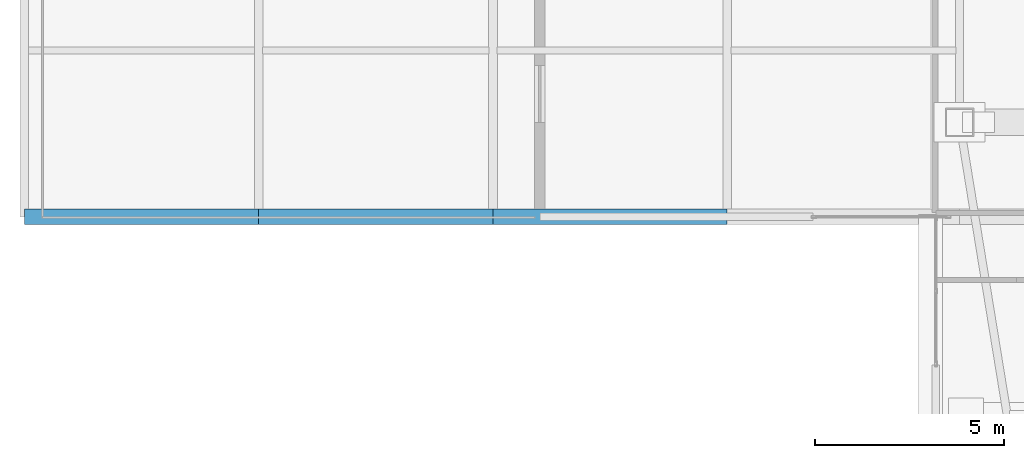
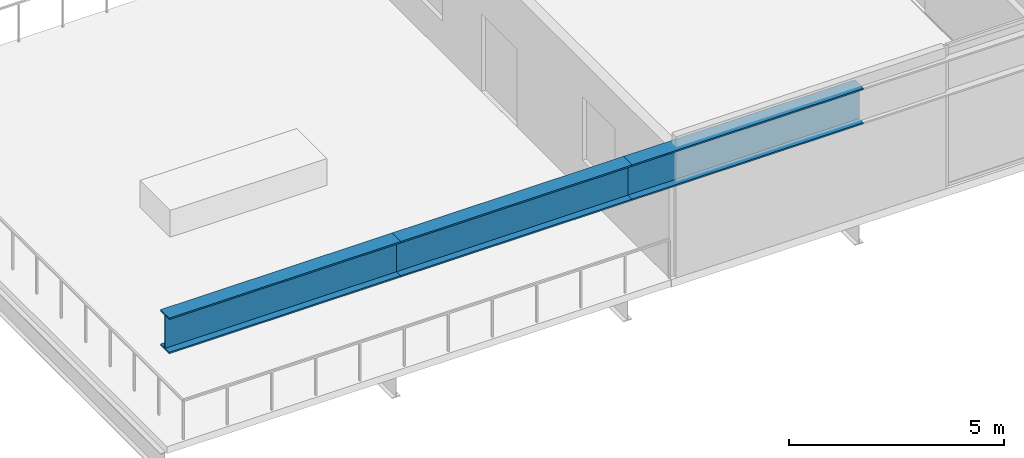
# One storey, part 3 of 51: 3 beams.
"""IFC4 building model written with IfcOpenShell, lengths in metres."""

from ifc_helpers import new_model, si_unit, direction, frame, origin, origin_2d, place, context, subcontext, project, spatial, i_section, extrude, material, material_profile, profile_set, type_object, element, save


model = new_model("IFC4")

# Units and contexts
model_context = context("Model", 3, precision=1e-05, world=origin(), true_north=direction((0.0, 1.0)))
body_context = subcontext(model_context, "Body", "Model", "MODEL_VIEW")
ifc_project = project(units=[si_unit("LENGTHUNIT", "METRE"), si_unit("AREAUNIT", "SQUARE_METRE"), si_unit("VOLUMEUNIT", "CUBIC_METRE"), si_unit("PLANEANGLEUNIT", "RADIAN"), si_unit("MASSUNIT", "GRAM", prefix="KILO")], contexts=[model_context])

# Site, building, storey
site_placement = place(None, origin())
site = spatial("IfcSite", under=ifc_project, at=site_placement, CompositionType="ELEMENT")
building_placement = place(site_placement, origin())
building = spatial("IfcBuilding", under=site, at=building_placement, Name="Tashvorn Skyway Center", CompositionType="ELEMENT")
storey_placement = place(building_placement, frame((0.0, 0.0, 259.39990234375)))
storey = spatial("IfcBuildingStorey", under=building, at=storey_placement, Name="L70", CompositionType="ELEMENT", Elevation=259.39990234375)

# Beams
ifc_material = material(Name="Steel ASTM A913 Grade 65", Category="steel")
ifc_material_profile = material_profile(ifc_material, i_section(OverallWidth=0.40087890625, OverallDepth=1.010986328125, WebThickness=0.023681640625, FlangeThickness=0.0419921875, at=origin_2d()), Name="W40X297")
ifc_profile_set = profile_set([ifc_material_profile], Name="Steel ASTM A913 Grade 65")
beam_type = type_object("IfcBeamType", Name="BM-BEAM-W40X297", PredefinedType="BEAM", material=ifc_profile_set)
beam_1_placement = place(storey_placement, frame((2.199951171875, 24.10009765625, 3.194580078125), z_axis=(1.0, 0.0, 0.0), x_axis=(0.0, 1.0, 0.0)))
element("IfcBeam", 1, at=beam_1_placement, inside=storey, type_object=beam_type, Name="Sky-Park Truss 1 Top Chord Panel 01", PredefinedType="BEAM", context=body_context, shape_type="SweptSolid", body=[
    extrude(i_section(OverallWidth=0.40087890625, OverallDepth=1.010986328125, WebThickness=0.023681640625, FlangeThickness=0.0419921875, at=origin_2d()), origin(), (0.0, 0.0, 1.0), 6.199951171875),
])
beam_2_placement = place(storey_placement, frame((8.39990234375, 24.10009765625, 3.194580078125), z_axis=(1.0, 0.0, 0.0), x_axis=(0.0, 1.0, 0.0)))
element("IfcBeam", 2, at=beam_2_placement, inside=storey, type_object=beam_type, Name="Sky-Park Truss 1 Top Chord Panel 02", PredefinedType="BEAM", context=body_context, shape_type="SweptSolid", body=[
    extrude(i_section(OverallWidth=0.40087890625, OverallDepth=1.010986328125, WebThickness=0.023681640625, FlangeThickness=0.0419921875, at=origin_2d()), origin(), (0.0, 0.0, 1.0), 6.2001953125),
])
beam_3_placement = place(storey_placement, frame((14.60009765625, 24.10009765625, 3.194580078125), z_axis=(1.0, 0.0, 0.0), x_axis=(0.0, 1.0, 0.0)))
element("IfcBeam", 3, at=beam_3_placement, inside=storey, type_object=beam_type, Name="Sky-Park Truss 1 Top Chord Panel 03", PredefinedType="BEAM", context=body_context, shape_type="SweptSolid", body=[
    extrude(i_section(OverallWidth=0.40087890625, OverallDepth=1.010986328125, WebThickness=0.023681640625, FlangeThickness=0.0419921875, at=origin_2d()), origin(), (0.0, 0.0, 1.0), 6.199951171875),
])

save(model, "model.ifc")
